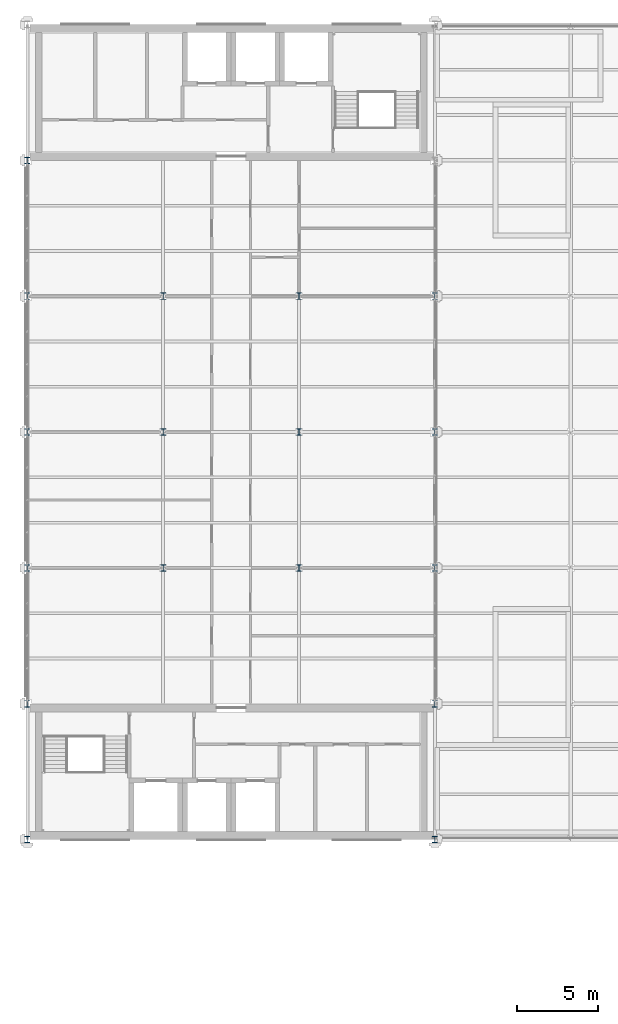
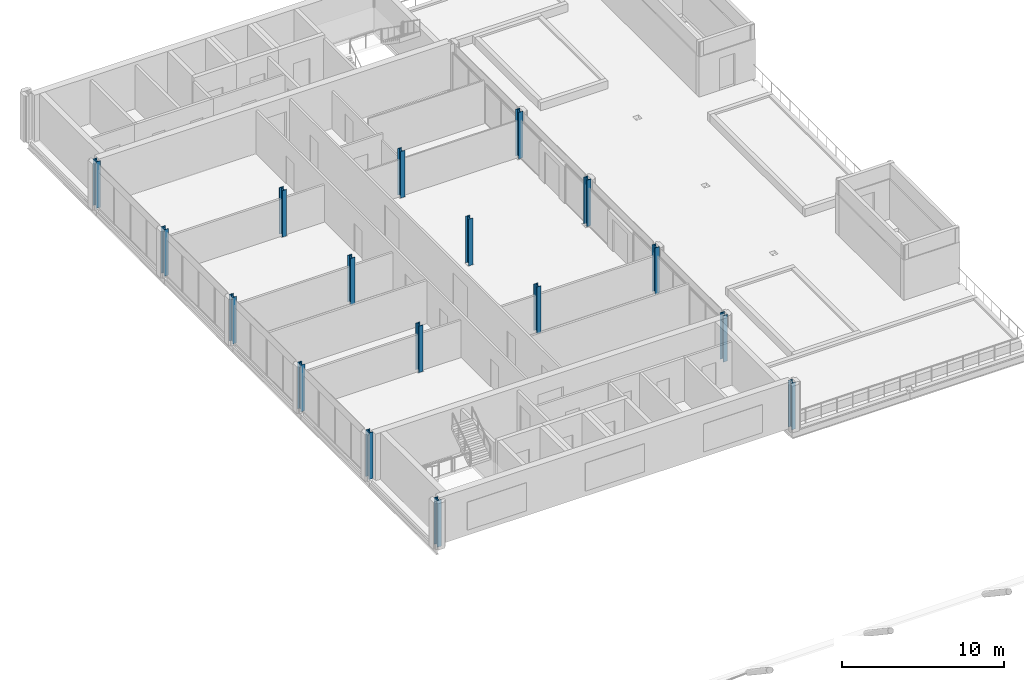
# One storey, part 1 of 32: 17 columns.
"""IFC4 building model written with IfcOpenShell, lengths in metres."""

from ifc_helpers import new_model, si_unit, direction, frame, origin, origin_2d, place, context, subcontext, project, spatial, i_section, extrude, material, material_profile, profile_set, type_object, element, save


model = new_model("IFC4")

# Units and contexts
model_context = context("Model", 3, precision=1e-05, world=origin(), true_north=direction((0.0, 1.0)))
body_context = subcontext(model_context, "Body", "Model", "MODEL_VIEW")
ifc_project = project(units=[si_unit("LENGTHUNIT", "METRE"), si_unit("AREAUNIT", "SQUARE_METRE"), si_unit("VOLUMEUNIT", "CUBIC_METRE"), si_unit("PLANEANGLEUNIT", "RADIAN"), si_unit("MASSUNIT", "GRAM", prefix="KILO")], contexts=[model_context])

# Site, building, storey
site_placement = place(None, origin())
site = spatial("IfcSite", under=ifc_project, at=site_placement, CompositionType="ELEMENT")
building_placement = place(site_placement, origin())
building = spatial("IfcBuilding", under=site, at=building_placement, Name="Catenary Quay Ferry Terminal", CompositionType="ELEMENT")
storey_placement = place(building_placement, frame((0.0, 0.0, 17.10009765625)))
storey = spatial("IfcBuildingStorey", under=building, at=storey_placement, Name="L03", CompositionType="ELEMENT", Elevation=17.10009765625)

# Columns
ifc_material = material(Name="Steel S355", Category="steel")
ifc_material_profile = material_profile(ifc_material, i_section(OverallWidth=0.300048828125, OverallDepth=0.39990234375, WebThickness=0.013427734375, FlangeThickness=0.02392578125, at=origin_2d()), Name="HEB 400")
ifc_profile_set = profile_set([ifc_material_profile], Name="Steel S355")
column_type = type_object("IfcColumnType", Name="C2 HEB 400", PredefinedType="COLUMN", material=ifc_profile_set)
for number, where, z_axis, x_axis, name in (
    (1, (25.199951171875, 159.60009765625, 0.0), (0.0, 0.0, 1.0), (1.0, 0.0, 0.0), "Column C-D20 L03"),
    (2, (25.199951171875, 168.0, 0.0), (0.0, 0.0, 1.0), (1.0, 0.0, 0.0), "Column C-D21 L03"),
    (3, (25.199951171875, 201.60009765625, 0.0), (0.0, 0.0, 1.0), (1.0, 0.0, 0.0), "Column C-D25 L03"),
    (4, (50.39990234375, 159.60009765625, 0.0), (0.0, 0.0, 1.0), (1.0, 0.0, 0.0), "Column C-G20 L03"),
    (5, (50.39990234375, 168.0, 0.0), (0.0, 0.0, 1.0), (1.0, 0.0, 0.0), "Column C-G21 L03"),
    (6, (25.199951171875, 176.39990234375, 0.0), (0.0, 0.0, 1.0), (1.0, 0.0, 0.0), "Column C-D22 L03"),
    (7, (25.199951171875, 184.800048828125, 0.0), (0.0, 0.0, 1.0), (1.0, 0.0, 0.0), "Column C-D23 L03"),
    (8, (25.199951171875, 193.199951171875, 0.0), (0.0, 0.0, 1.0), (1.0, 0.0, 0.0), "Column C-D24 L03"),
    (9, (33.60009765625, 176.39990234375, 0.0), (0.0, 0.0, 1.0), (1.0, 0.0, 0.0), "Column C-E22 L03"),
    (10, (33.60009765625, 184.800048828125, 0.0), (0.0, 0.0, 1.0), (1.0, 0.0, 0.0), "Column C-E23 L03"),
    (11, (33.60009765625, 193.199951171875, 0.0), (0.0, 0.0, 1.0), (1.0, 0.0, 0.0), "Column C-E24 L03"),
    (12, (42.0, 176.39990234375, 0.0), (0.0, 0.0, 1.0), (1.0, 0.0, 0.0), "Column C-F22 L03"),
    (13, (42.0, 184.800048828125, 0.0), (0.0, 0.0, 1.0), (1.0, 0.0, 0.0), "Column C-F23 L03"),
    (14, (42.0, 193.199951171875, 0.0), (0.0, 0.0, 1.0), (1.0, 0.0, 0.0), "Column C-F24 L03"),
    (15, (50.39990234375, 176.39990234375, 0.0), (0.0, 0.0, 1.0), (1.0, 0.0, 0.0), "Column C-G22 L03"),
    (16, (50.39990234375, 184.800048828125, 0.0), (0.0, 0.0, 1.0), (1.0, 0.0, 0.0), "Column C-G23 L03"),
    (17, (50.39990234375, 193.199951171875, 0.0), (0.0, 0.0, 1.0), (1.0, 0.0, 0.0), "Column C-G24 L03"),
):
    element("IfcColumn", number, at=place(storey_placement, frame(where, z_axis=z_axis, x_axis=x_axis)), inside=storey, type_object=column_type, Name=name, PredefinedType="COLUMN", context=body_context, shape_type="SweptSolid", body=[
        extrude(i_section(OverallWidth=0.300048828125, OverallDepth=0.39990234375, WebThickness=0.013427734375, FlangeThickness=0.02392578125, at=origin_2d()), origin(), (0.0, 0.0, 1.0), 3.5),
    ])

save(model, "model.ifc")
